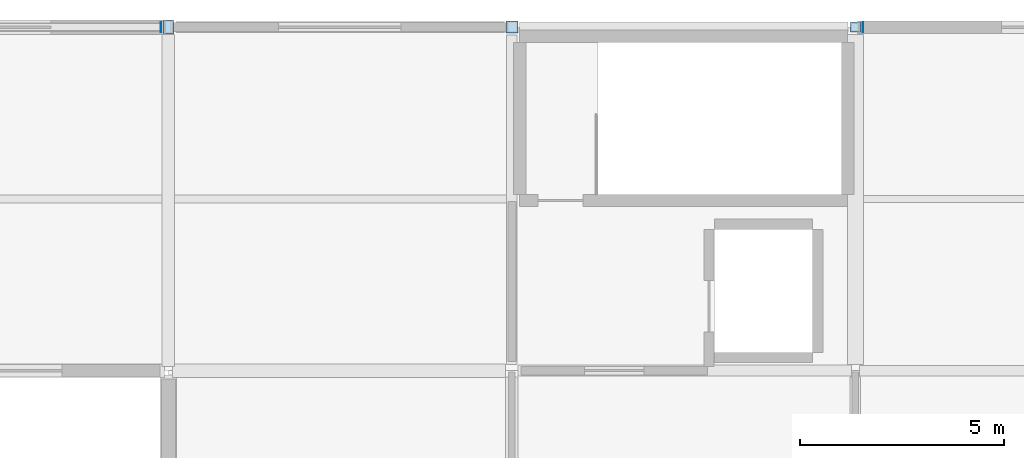
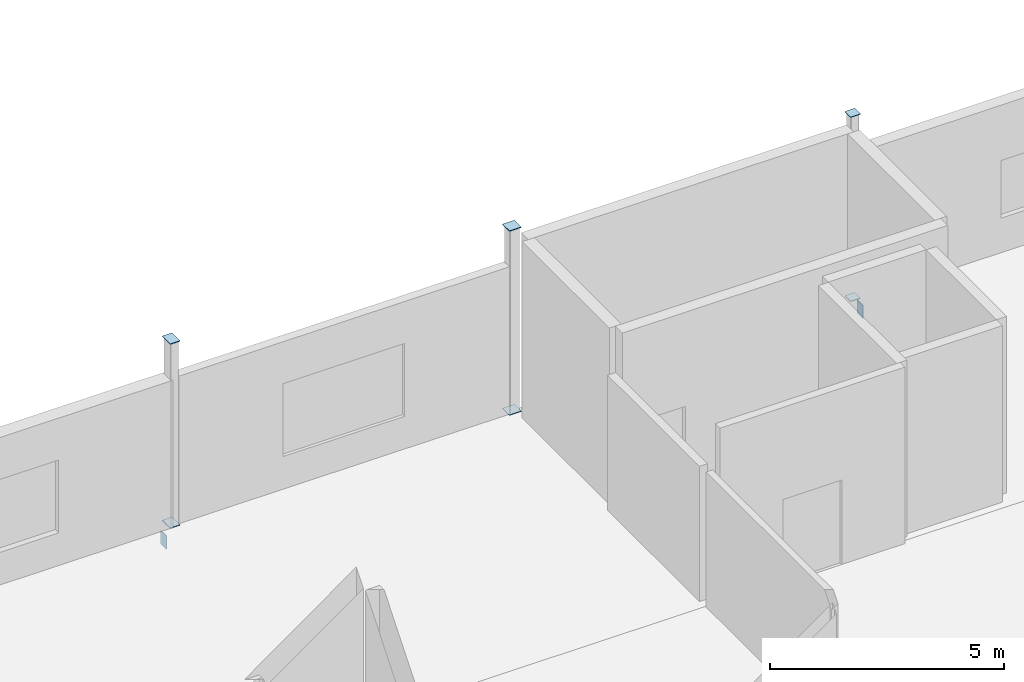
# One storey, part 12 of 27: 8 plates.
"""IFC4 building model written with IfcOpenShell, lengths in metres."""

import ifcopenshell
import ifcopenshell.guid

model = None  # the IFC model being written
_history = None  # IfcOwnerHistory: only IFC2X3 demands one
_inside = {}  # id of a spatial element -> (the spatial element, [elements in it])
_under = {}  # id of a project, library or spatial element -> (it, [spatial elements below it])
_declared = {}  # id of a project -> (the project, [libraries it declares])
_typed = {}  # id of a type object -> (the type object, [elements of that type])
_made_of = {}  # id of a material, layer set ... -> (it, [elements and type objects made of it])


def new_model(schema):
    """Start an empty IFC model of exactly this schema.

    Asked for "IFC4X3", IfcOpenShell would pick the latest addendum, in which some entities
    have other attributes; the version numbers below select the first issue.
    IFC2X3 requires an IfcOwnerHistory on every rooted entity: one is made here for all.
    """
    global model, _history
    if schema == "IFC4X3":
        model = ifcopenshell.file(schema_version=(4, 3, 0, 0))
    else:
        model = ifcopenshell.file(schema=schema)
    _inside.clear()
    _under.clear()
    _declared.clear()
    _typed.clear()
    _made_of.clear()
    _history = None
    if model.schema == "IFC2X3":
        org = make("IfcOrganization", Name="unknown")
        user = make(
            "IfcPersonAndOrganization",
            ThePerson=make("IfcPerson", FamilyName="unknown"),
            TheOrganization=org,
        )
        app = make(
            "IfcApplication",
            ApplicationDeveloper=org,
            Version="unknown",
            ApplicationFullName="unknown",
            ApplicationIdentifier="unknown",
        )
        _history = make(
            "IfcOwnerHistory",
            OwningUser=user,
            OwningApplication=app,
            ChangeAction="ADDED",
            CreationDate=0,
        )
    return model


def make(cls, **values):
    """One entity of the class cls with the attributes given. An attribute that is None is left unset."""
    return model.create_entity(
        cls, **{name: value for name, value in values.items() if value is not None}
    )


def rooted(cls, **values):
    """An entity with a GlobalId (a new one), such as an element, a storey or a relation."""
    return make(cls, GlobalId=ifcopenshell.guid.new(), OwnerHistory=_history, **values)


def si_unit(unit_type, name, prefix=None):
    """IfcSIUnit, for example si_unit("LENGTHUNIT", "METRE", prefix="MILLI")."""
    return make("IfcSIUnit", UnitType=unit_type, Prefix=prefix, Name=name)


def assignment(units):
    """IfcUnitAssignment: the units of a project."""
    return None if units is None else make("IfcUnitAssignment", Units=units)


def point(xyz):
    """IfcCartesianPoint."""
    return None if xyz is None else make("IfcCartesianPoint", Coordinates=xyz)


def direction(xyz):
    """IfcDirection."""
    return None if xyz is None else make("IfcDirection", DirectionRatios=xyz)


def frame(location, z_axis=None, x_axis=None):
    """IfcAxis2Placement3D, a coordinate frame: its origin and axes. An axis left out is left unset."""
    return make(
        "IfcAxis2Placement3D",
        Location=point(location),
        Axis=direction(z_axis),
        RefDirection=direction(x_axis),
    )


def frame_2d(location, x_axis=None):
    """IfcAxis2Placement2D, a coordinate frame in the plane: its origin and x axis."""
    return make(
        "IfcAxis2Placement2D", Location=point(location), RefDirection=direction(x_axis)
    )


def origin():
    """The frame at (0, 0, 0) with its axes left unset."""
    return frame((0.0, 0.0, 0.0))


def origin_2d():
    """The frame at (0, 0) in the plane with its x axis left unset."""
    return frame_2d((0.0, 0.0))


def place(relative_to, where):
    """IfcLocalPlacement: puts the frame where relative to a parent placement (None: the world)."""
    return make(
        "IfcLocalPlacement", PlacementRelTo=relative_to, RelativePlacement=where
    )


def context(
    kind, dimensions, precision=None, world=None, true_north=None, identifier=None
):
    """IfcGeometricRepresentationContext, for example the 3D "Model" context."""
    return make(
        "IfcGeometricRepresentationContext",
        ContextIdentifier=identifier,
        ContextType=kind,
        CoordinateSpaceDimension=dimensions,
        Precision=precision,
        WorldCoordinateSystem=world,
        TrueNorth=true_north,
    )


def subcontext(parent, identifier, kind, view, scale=None):
    """IfcGeometricRepresentationSubContext, for example "Body" below "Model"."""
    return make(
        "IfcGeometricRepresentationSubContext",
        ContextIdentifier=identifier,
        ContextType=kind,
        ParentContext=parent,
        TargetScale=scale,
        TargetView=view,
    )


def project(units=None, contexts=None):
    """IfcProject with its units and contexts."""
    return rooted(
        "IfcProject",
        Name="project",
        RepresentationContexts=contexts,
        UnitsInContext=assignment(units),
    )


def spatial(cls, under=None, at=None, **own):
    """A site, building, storey or space (cls), placed at a placement, below another one or the project."""
    s = rooted(cls, ObjectPlacement=at, **own)
    if under is not None:
        _under.setdefault(under.id(), (under, []))[1].append(s)
    return s


def profile(cls, at=None, kind="AREA", **sizes):
    """A parametric profile (cls). Its sizes go by their IFC names, for example OverallWidth=200.0."""
    return make(cls, ProfileType=kind, Position=at, **sizes)


def rectangle(**sizes):
    """IfcRectangleProfileDef."""
    return profile("IfcRectangleProfileDef", **sizes)


def extrude(swept, where, along, depth):
    """IfcExtrudedAreaSolid: the profile swept, set in the frame where, extruded along a direction by depth."""
    return make(
        "IfcExtrudedAreaSolid",
        SweptArea=swept,
        Position=where,
        ExtrudedDirection=direction(along),
        Depth=depth,
    )


def shape(context_of_items, identifier, shape_type, items):
    """IfcShapeRepresentation: the items that make up one representation, for example the "Body"."""
    return make(
        "IfcShapeRepresentation",
        ContextOfItems=context_of_items,
        RepresentationIdentifier=identifier,
        RepresentationType=shape_type,
        Items=items,
    )


def material(Name=None, Category=None):
    """IfcMaterial."""
    return make("IfcMaterial", Name=Name, Category=Category)


def layer(
    of_material, thickness, ventilated=None, Name=None, Category=None, Priority=None
):
    """IfcMaterialLayer: one layer of a wall or slab, of a material (None: an air gap)."""
    return make(
        "IfcMaterialLayer",
        Material=of_material,
        LayerThickness=thickness,
        IsVentilated=ventilated,
        Name=Name,
        Category=Category,
        Priority=Priority,
    )


def layer_set(layers, Name=None):
    """IfcMaterialLayerSet."""
    return make("IfcMaterialLayerSet", MaterialLayers=layers, LayerSetName=Name)


def made_of(thing, what):
    """Note that an element or type object is made of a material, layer set ...; save() writes the relation."""
    if what is not None:
        _made_of.setdefault(what.id(), (what, []))[1].append(thing)
    return thing


def type_object(cls, material=None, **own):
    """A type object (cls), such as IfcWallType, which elements share."""
    return made_of(rooted(cls, **own), material)


def element(
    cls,
    number,
    at=None,
    inside=None,
    cuts=None,
    type_object=None,
    material=None,
    context=None,
    identifier="Body",
    shape_type=None,
    held_by="IfcProductDefinitionShape",
    body=None,
    shapes=None,
    **own,
):
    """One element of the class cls, such as IfcWall. Its Tag is "e" and its number.

    at: its placement. inside: the storey or other place that contains it. cuts: it is an
    opening in that element (IfcRelVoidsElement). A single representation is given by context,
    identifier, shape_type and body (its items); several are given by shapes. held_by: the class
    of the entity that holds the representations. save() writes the other relations.
    """
    e = rooted(cls, Tag="e%d" % number, ObjectPlacement=at, **own)
    if body is not None:
        shapes = [shape(context, identifier, shape_type, body)]
    if shapes is not None:
        e.Representation = make(held_by, Representations=shapes)
    if inside is not None:
        _inside.setdefault(inside.id(), (inside, []))[1].append(e)
    if cuts is not None:
        rooted(
            "IfcRelVoidsElement", RelatingBuildingElement=cuts, RelatedOpeningElement=e
        )
    if type_object is not None:
        _typed.setdefault(type_object.id(), (type_object, []))[1].append(e)
    return made_of(e, material)


def aggregate(whole, parts):
    """IfcRelAggregates: a whole, such as a stair, and the parts it consists of."""
    return rooted("IfcRelAggregates", RelatingObject=whole, RelatedObjects=parts)


def save(model, path):
    """Write the relations noted so far, then the file.

    IfcRelAggregates (storeys below a building ...), IfcRelContainedInSpatialStructure (elements
    in a storey), IfcRelDefinesByType, IfcRelAssociatesMaterial and IfcRelDeclares: one each for
    every whole, place, type object, material and project.
    """
    for whole, parts in _under.values():
        aggregate(whole, parts)
    for where, things in _inside.values():
        rooted(
            "IfcRelContainedInSpatialStructure",
            RelatedElements=things,
            RelatingStructure=where,
        )
    for kind, things in _typed.values():
        rooted("IfcRelDefinesByType", RelatedObjects=things, RelatingType=kind)
    for what, things in _made_of.values():
        rooted("IfcRelAssociatesMaterial", RelatedObjects=things, RelatingMaterial=what)
    for by, libraries in _declared.values():
        rooted("IfcRelDeclares", RelatingContext=by, RelatedDefinitions=libraries)
    model.write(path)


model = new_model("IFC4")

# Units and contexts
model_context = context("Model", 3, precision=1e-05, world=origin(), true_north=direction((0.0, 1.0)))
body_context = subcontext(model_context, "Body", "Model", "MODEL_VIEW")
ifc_project = project(units=[si_unit("LENGTHUNIT", "METRE"), si_unit("AREAUNIT", "SQUARE_METRE"), si_unit("VOLUMEUNIT", "CUBIC_METRE"), si_unit("PLANEANGLEUNIT", "RADIAN"), si_unit("MASSUNIT", "GRAM", prefix="KILO")], contexts=[model_context])

# Site, building, storey
site_placement = place(None, origin())
site = spatial("IfcSite", under=ifc_project, at=site_placement, CompositionType="ELEMENT")
building_placement = place(site_placement, origin())
building = spatial("IfcBuilding", under=site, at=building_placement, Name="Calvrana Isthmian Art Gallery", CompositionType="ELEMENT")
storey_placement = place(building_placement, frame((0.0, 0.0, 24.60009765625)))
storey = spatial("IfcBuildingStorey", under=building, at=storey_placement, Name="L05", CompositionType="ELEMENT", Elevation=24.60009765625)

# Plates
ifc_material = material(Name="Steel ASTM A572 Gr 50", Category="steel")
ifc_layer = layer(ifc_material, 0.01611328125, Name="Steel ASTM A572 Gr 50")
ifc_layer_set = layer_set([ifc_layer], Name="Steel ASTM A572 Gr 50")
plate_type = type_object("IfcPlateType", Name="PL-CAP-16", PredefinedType="SHEET", material=ifc_layer_set)
for number, where, z_axis, x_axis, name in (
    (1, (55.199951171875, 46.800048828125, -0.008056640625), (0.0, 0.0, 1.0), (1.0, 0.0, 0.0), "Hollow section end cap plate 105"),
    (2, (55.199951171875, 46.800048828125, 4.791748046875), (0.0, 0.0, 1.0), (1.0, 0.0, 0.0), "Hollow section end cap plate 106"),
):
    element("IfcPlate", number, at=place(storey_placement, frame(where, z_axis=z_axis, x_axis=x_axis)), inside=storey, type_object=plate_type, Name=name, PredefinedType="SHEET", context=body_context, shape_type="SweptSolid", body=[
        extrude(rectangle(XDim=0.2431640625, YDim=0.3447265625, at=origin_2d()), origin(), (0.0, 0.0, 1.0), 0.01611328125),
    ])
for number, where, z_axis, x_axis, name in (
    (3, (63.60009765625, 46.800048828125, -0.008056640625), (0.0, 0.0, 1.0), (1.0, 0.0, 0.0), "Hollow section end cap plate 137"),
    (4, (63.60009765625, 46.800048828125, 4.791748046875), (0.0, 0.0, 1.0), (1.0, 0.0, 0.0), "Hollow section end cap plate 138"),
):
    element("IfcPlate", number, at=place(storey_placement, frame(where, z_axis=z_axis, x_axis=x_axis)), inside=storey, type_object=plate_type, Name=name, PredefinedType="SHEET", context=body_context, shape_type="SweptSolid", body=[
        extrude(rectangle(XDim=0.2939453125, YDim=0.2939453125, at=origin_2d()), origin(), (0.0, 0.0, 1.0), 0.01611328125),
    ])
for number, where, z_axis, x_axis, name in (
    (5, (72.0, 46.800048828125, -0.008056640625), (0.0, 0.0, 1.0), (1.0, 0.0, 0.0), "Hollow section end cap plate 169"),
    (6, (72.0, 46.800048828125, 4.791748046875), (0.0, 0.0, 1.0), (1.0, 0.0, 0.0), "Hollow section end cap plate 170"),
):
    element("IfcPlate", number, at=place(storey_placement, frame(where, z_axis=z_axis, x_axis=x_axis)), inside=storey, type_object=plate_type, Name=name, PredefinedType="SHEET", context=body_context, shape_type="SweptSolid", body=[
        extrude(rectangle(XDim=0.2431640625, YDim=0.2431640625, at=origin_2d()), origin(), (0.0, 0.0, 1.0), 0.01611328125),
    ])
for number, where, z_axis, x_axis, name in (
    (7, (55.01611328125, 46.800048828125, -0.5498046875), (0.0, 0.0, 1.0), (1.0, 0.0, 0.0), "Hollow section end cap plate 500"),
    (8, (72.1865234375, 46.800048828125, -0.5498046875), (0.0, 0.0, 1.0), (1.0, 0.0, 0.0), "Hollow section end cap plate 501"),
):
    element("IfcPlate", number, at=place(storey_placement, frame(where, z_axis=z_axis, x_axis=x_axis)), inside=storey, type_object=plate_type, Name=name, PredefinedType="SHEET", context=body_context, shape_type="SweptSolid", body=[
        extrude(rectangle(XDim=0.01611328125, YDim=0.2431640625, at=origin_2d()), origin(), (0.0, 0.0, 1.0), 0.3447265625),
    ])

save(model, "model.ifc")
